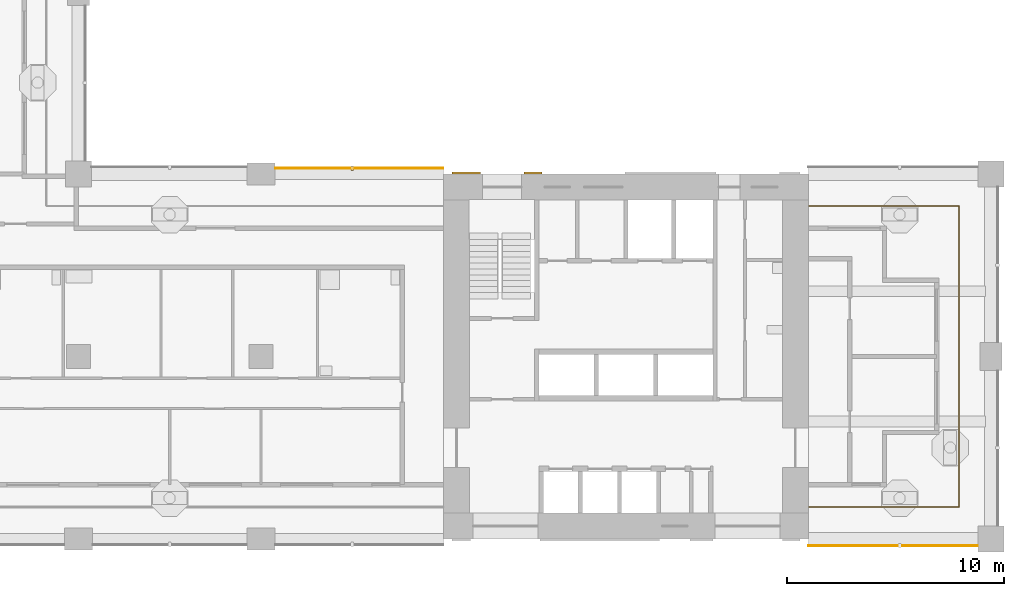
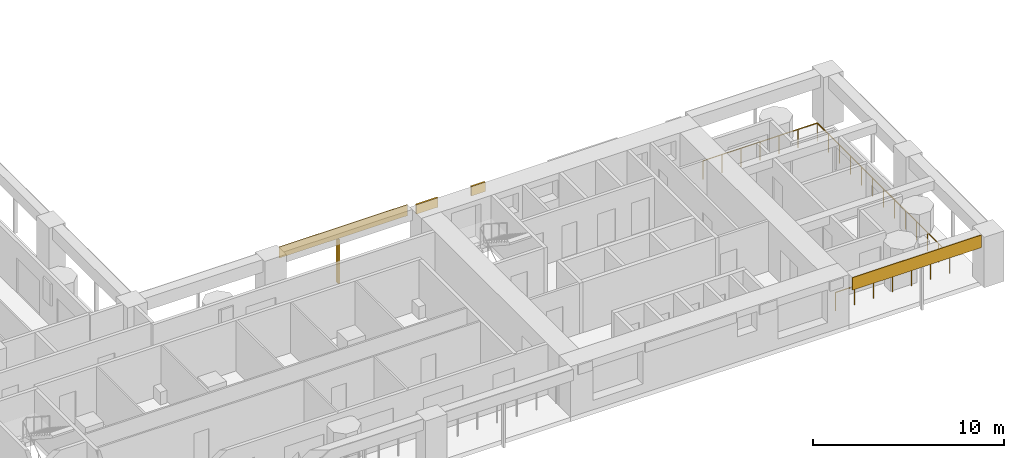
# One storey, part 12 of 18: 5 shading devices, 1 railing.
"""IFC4 building model written with IfcOpenShell, lengths in metres."""

from ifc_helpers import new_model, si_unit, direction, frame, origin, origin_2d, place, context, subcontext, project, spatial, rectangle, circle, extrude, material, layer, layer_set, material_profile, profile_set, type_object, element, save


model = new_model("IFC4")

# Units and contexts
model_context = context("Model", 3, precision=1e-05, world=origin(), true_north=direction((0.0, 1.0)))
body_context = subcontext(model_context, "Body", "Model", "MODEL_VIEW")
ifc_project = project(units=[si_unit("LENGTHUNIT", "METRE"), si_unit("AREAUNIT", "SQUARE_METRE"), si_unit("VOLUMEUNIT", "CUBIC_METRE"), si_unit("PLANEANGLEUNIT", "RADIAN"), si_unit("MASSUNIT", "GRAM", prefix="KILO")], contexts=[model_context])

# Site, building, storey
site_placement = place(None, origin())
site = spatial("IfcSite", under=ifc_project, at=site_placement, CompositionType="ELEMENT")
building_placement = place(site_placement, origin())
building = spatial("IfcBuilding", under=site, at=building_placement, Name="Vermilion Gate Residences", CompositionType="ELEMENT")
storey_placement = place(building_placement, frame((0.0, 0.0, 133.699951171875)))
storey = spatial("IfcBuildingStorey", under=building, at=storey_placement, Name="L34", CompositionType="ELEMENT", Elevation=133.699951171875)

# Railing
ifc_material_1 = material(Name="Stainless steel and toughened glass", Category="steel")
railing_type = type_object("IfcRailingType", Name="LOGGIA GUARD STEEL AND GLASS 1200", PredefinedType="GUARDRAIL", material=ifc_material_1)
railing_placement = place(storey_placement, frame((58.822021484375, 9.875, 0.0)))
element("IfcRailing", 1, at=railing_placement, inside=storey, type_object=railing_type, Name="Loggia guard", PredefinedType="GUARDRAIL", context=body_context, shape_type="SweptSolid", body=[
    extrude(circle(Radius=0.030029296875, at=origin_2d()), frame((0.0, 0.0, 1.169921875), z_axis=(1.0, 0.0, 0.0), x_axis=(0.0, 1.0, 0.0)), (0.0, 0.0, 1.0), 6.903076171875),
    extrude(circle(Radius=0.030029296875, at=origin_2d()), frame((6.903076171875, 0.0, 1.169921875), z_axis=(0.0, 1.0, 0.0), x_axis=(-1.0, 0.0, 0.0)), (0.0, 0.0, 1.0), 13.85009765625),
    extrude(circle(Radius=0.030029296875, at=origin_2d()), frame((6.903076171875, 13.85009765625, 1.169921875), z_axis=(-1.0, 0.0, 0.0), x_axis=(0.0, -1.0, 0.0)), (0.0, 0.0, 1.0), 6.903076171875),
    extrude(circle(Radius=0.02490234375, at=origin_2d()), origin(), (0.0, 0.0, 1.0), 1.139892578125),
    extrude(circle(Radius=0.02490234375, at=origin_2d()), frame((1.150390625, 0.0, 0.0)), (0.0, 0.0, 1.0), 1.139892578125),
    extrude(circle(Radius=0.02490234375, at=origin_2d()), frame((2.301025390625, 0.0, 0.0)), (0.0, 0.0, 1.0), 1.139892578125),
    extrude(circle(Radius=0.02490234375, at=origin_2d()), frame((3.45166015625, 0.0, 0.0)), (0.0, 0.0, 1.0), 1.139892578125),
    extrude(circle(Radius=0.02490234375, at=origin_2d()), frame((4.60205078125, 0.0, 0.0)), (0.0, 0.0, 1.0), 1.139892578125),
    extrude(circle(Radius=0.02490234375, at=origin_2d()), frame((5.75244140625, 0.0, 0.0)), (0.0, 0.0, 1.0), 1.139892578125),
    extrude(circle(Radius=0.02490234375, at=origin_2d()), frame((6.903076171875, 0.0, 0.0)), (0.0, 0.0, 1.0), 1.139892578125),
    extrude(circle(Radius=0.02490234375, at=origin_2d()), frame((6.903076171875, 1.154296875, 0.0)), (0.0, 0.0, 1.0), 1.139892578125),
    extrude(circle(Radius=0.02490234375, at=origin_2d()), frame((6.903076171875, 2.308349609375, 0.0)), (0.0, 0.0, 1.0), 1.139892578125),
    extrude(circle(Radius=0.02490234375, at=origin_2d()), frame((6.903076171875, 3.46240234375, 0.0)), (0.0, 0.0, 1.0), 1.139892578125),
    extrude(circle(Radius=0.02490234375, at=origin_2d()), frame((6.903076171875, 4.61669921875, 0.0)), (0.0, 0.0, 1.0), 1.139892578125),
    extrude(circle(Radius=0.02490234375, at=origin_2d()), frame((6.903076171875, 5.77099609375, 0.0)), (0.0, 0.0, 1.0), 1.139892578125),
    extrude(circle(Radius=0.02490234375, at=origin_2d()), frame((6.903076171875, 6.925048828125, 0.0)), (0.0, 0.0, 1.0), 1.139892578125),
    extrude(circle(Radius=0.02490234375, at=origin_2d()), frame((6.903076171875, 8.0791015625, 0.0)), (0.0, 0.0, 1.0), 1.139892578125),
    extrude(circle(Radius=0.02490234375, at=origin_2d()), frame((6.903076171875, 9.2333984375, 0.0)), (0.0, 0.0, 1.0), 1.139892578125),
    extrude(circle(Radius=0.02490234375, at=origin_2d()), frame((6.903076171875, 10.3876953125, 0.0)), (0.0, 0.0, 1.0), 1.139892578125),
    extrude(circle(Radius=0.02490234375, at=origin_2d()), frame((6.903076171875, 11.541748046875, 0.0)), (0.0, 0.0, 1.0), 1.139892578125),
    extrude(circle(Radius=0.02490234375, at=origin_2d()), frame((6.903076171875, 12.69580078125, 0.0)), (0.0, 0.0, 1.0), 1.139892578125),
    extrude(circle(Radius=0.02490234375, at=origin_2d()), frame((6.903076171875, 13.85009765625, 0.0)), (0.0, 0.0, 1.0), 1.139892578125),
    extrude(circle(Radius=0.02490234375, at=origin_2d()), frame((5.75244140625, 13.85009765625, 0.0)), (0.0, 0.0, 1.0), 1.139892578125),
    extrude(circle(Radius=0.02490234375, at=origin_2d()), frame((4.60205078125, 13.85009765625, 0.0)), (0.0, 0.0, 1.0), 1.139892578125),
    extrude(circle(Radius=0.02490234375, at=origin_2d()), frame((3.45166015625, 13.85009765625, 0.0)), (0.0, 0.0, 1.0), 1.139892578125),
    extrude(circle(Radius=0.02490234375, at=origin_2d()), frame((2.301025390625, 13.85009765625, 0.0)), (0.0, 0.0, 1.0), 1.139892578125),
    extrude(circle(Radius=0.02490234375, at=origin_2d()), frame((1.150390625, 13.85009765625, 0.0)), (0.0, 0.0, 1.0), 1.139892578125),
    extrude(circle(Radius=0.02490234375, at=origin_2d()), frame((0.0, 13.85009765625, 0.0)), (0.0, 0.0, 1.0), 1.139892578125),
])

# Shading devices
ifc_material_2 = material(Name="Perforated terracotta", Category="masonry")
ifc_layer_1 = layer(ifc_material_2, 0.0400390625)
ifc_layer_set_1 = layer_set([ifc_layer_1], Name="PERFORATED TERRACOTTA SCREEN 40")
shading_device_type_1 = type_object("IfcShadingDeviceType", Name="PERFORATED TERRACOTTA SCREEN 40", PredefinedType="SHUTTER", material=ifc_layer_set_1)
shading_device_1_placement = place(storey_placement, frame((62.699951171875, 8.080078125, 2.419921875), z_axis=(0.0, 0.0, 1.0), x_axis=(1.0, 0.0, 0.0)))
element("IfcShadingDevice", 2, at=shading_device_1_placement, inside=storey, type_object=shading_device_type_1, Name="SCREEN", PredefinedType="SHUTTER", context=body_context, shape_type="SweptSolid", body=[
    extrude(rectangle(XDim=7.800048828125, YDim=0.0400390625, at=origin_2d()), origin(), (0.0, 0.0, 1.0), 0.800048828125),
])
shading_device_2_placement = place(storey_placement, frame((38.125, 25.469970703125, 2.52001953125), z_axis=(0.0, 0.0, 1.0), x_axis=(-1.0, 0.0, 0.0)))
element("IfcShadingDevice", 3, at=shading_device_2_placement, inside=storey, type_object=shading_device_type_1, Name="SCREEN", PredefinedType="SHUTTER", context=body_context, shape_type="SweptSolid", body=[
    extrude(rectangle(XDim=7.75, YDim=0.0400390625, at=origin_2d()), origin(), (0.0, 0.0, 1.0), 0.699951171875),
])
ifc_material_3 = material(Name="Extruded terracotta", Category="masonry")
ifc_material_profile = material_profile(ifc_material_3, rectangle(XDim=0.199951171875, YDim=0.10009765625, at=origin_2d()), Name="BAGUETTE 100 X 200")
ifc_profile_set = profile_set([ifc_material_profile], Name="Extruded terracotta")
shading_device_type_2 = type_object("IfcShadingDeviceType", Name="TERRACOTTA BAGUETTE 100 X 200", PredefinedType="JALOUSIE", material=ifc_profile_set)
shading_device_3_placement = place(storey_placement, frame((37.800048828125, 25.449951171875, -0.280029296875), z_axis=(0.0, 0.0, 1.0), x_axis=(0.0, -1.0, 0.0)))
element("IfcShadingDevice", 4, at=shading_device_3_placement, inside=storey, type_object=shading_device_type_2, Name="BAGUETTE", PredefinedType="JALOUSIE", context=body_context, shape_type="SweptSolid", body=[
    extrude(rectangle(XDim=0.199951171875, YDim=0.10009765625, at=origin_2d()), origin(), (0.0, 0.0, 1.0), 2.800048828125),
])
ifc_material_4 = material(Name="Extruded terracotta", Category="masonry")
ifc_layer_2 = layer(ifc_material_4, 0.10009765625)
ifc_layer_set_2 = layer_set([ifc_layer_2], Name="TERRACOTTA SPANDREL BAND 600 X 100")
shading_device_type_3 = type_object("IfcShadingDeviceType", Name="TERRACOTTA SPANDREL BAND 600 X 100", PredefinedType="USERDEFINED", material=ifc_layer_set_2)
shading_device_4_placement = place(storey_placement, frame((43.050048828125, 25.25, 2.6201171875), z_axis=(0.0, 0.0, 1.0), x_axis=(1.0, 0.0, 0.0)))
element("IfcShadingDevice", 5, at=shading_device_4_placement, inside=storey, type_object=shading_device_type_3, Name="SPANDREL BAND", ObjectType="BAND", PredefinedType="USERDEFINED", context=body_context, shape_type="SweptSolid", body=[
    extrude(rectangle(XDim=1.300048828125, YDim=0.10009765625, at=origin_2d()), origin(), (0.0, 0.0, 1.0), 0.60009765625),
])
shading_device_5_placement = place(storey_placement, frame((46.121826171875, 25.25, 2.6201171875), z_axis=(0.0, 0.0, 1.0), x_axis=(1.0, 0.0, 0.0)))
element("IfcShadingDevice", 6, at=shading_device_5_placement, inside=storey, type_object=shading_device_type_3, Name="SPANDREL BAND", ObjectType="BAND", PredefinedType="USERDEFINED", context=body_context, shape_type="SweptSolid", body=[
    extrude(rectangle(XDim=0.84375, YDim=0.10009765625, at=origin_2d()), origin(), (0.0, 0.0, 1.0), 0.60009765625),
])

save(model, "model.ifc")
